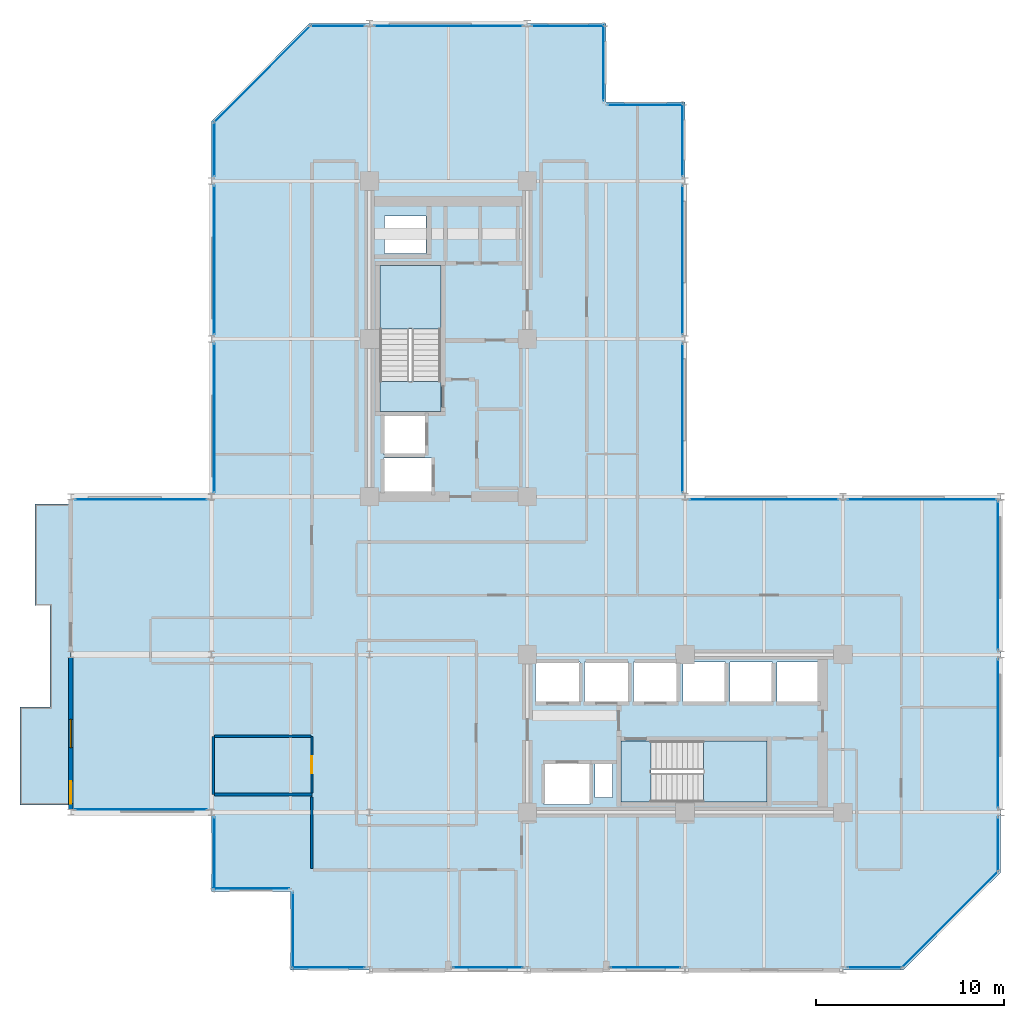
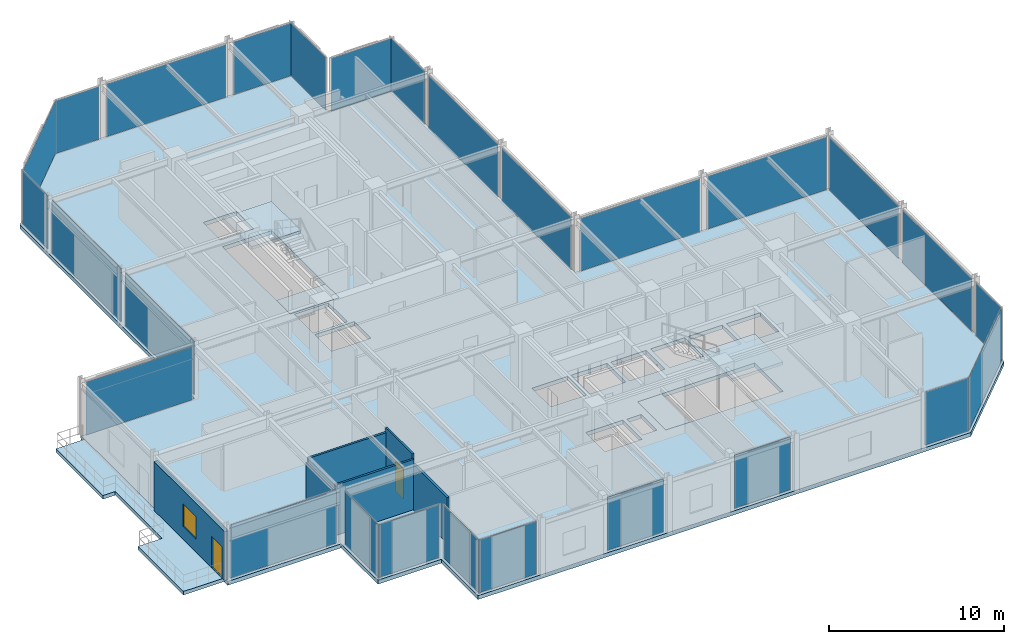
# One storey, part 23 of 29: 27 plates, 6 slabs, 6 walls, 2 doors, 1 window, 3 openings, 29 elements without a shape of their own.
"""IFC4 building model written with IfcOpenShell, lengths in metres."""

import ifcopenshell
import ifcopenshell.guid

model = None  # the IFC model being written
_history = None  # IfcOwnerHistory: only IFC2X3 demands one
_inside = {}  # id of a spatial element -> (the spatial element, [elements in it])
_under = {}  # id of a project, library or spatial element -> (it, [spatial elements below it])
_declared = {}  # id of a project -> (the project, [libraries it declares])
_typed = {}  # id of a type object -> (the type object, [elements of that type])
_made_of = {}  # id of a material, layer set ... -> (it, [elements and type objects made of it])


def new_model(schema):
    """Start an empty IFC model of exactly this schema.

    Asked for "IFC4X3", IfcOpenShell would pick the latest addendum, in which some entities
    have other attributes; the version numbers below select the first issue.
    IFC2X3 requires an IfcOwnerHistory on every rooted entity: one is made here for all.
    """
    global model, _history
    if schema == "IFC4X3":
        model = ifcopenshell.file(schema_version=(4, 3, 0, 0))
    else:
        model = ifcopenshell.file(schema=schema)
    _inside.clear()
    _under.clear()
    _declared.clear()
    _typed.clear()
    _made_of.clear()
    _history = None
    if model.schema == "IFC2X3":
        org = make("IfcOrganization", Name="unknown")
        user = make(
            "IfcPersonAndOrganization",
            ThePerson=make("IfcPerson", FamilyName="unknown"),
            TheOrganization=org,
        )
        app = make(
            "IfcApplication",
            ApplicationDeveloper=org,
            Version="unknown",
            ApplicationFullName="unknown",
            ApplicationIdentifier="unknown",
        )
        _history = make(
            "IfcOwnerHistory",
            OwningUser=user,
            OwningApplication=app,
            ChangeAction="ADDED",
            CreationDate=0,
        )
    return model


def make(cls, **values):
    """One entity of the class cls with the attributes given. An attribute that is None is left unset."""
    return model.create_entity(
        cls, **{name: value for name, value in values.items() if value is not None}
    )


def rooted(cls, **values):
    """An entity with a GlobalId (a new one), such as an element, a storey or a relation."""
    return make(cls, GlobalId=ifcopenshell.guid.new(), OwnerHistory=_history, **values)


def si_unit(unit_type, name, prefix=None):
    """IfcSIUnit, for example si_unit("LENGTHUNIT", "METRE", prefix="MILLI")."""
    return make("IfcSIUnit", UnitType=unit_type, Prefix=prefix, Name=name)


def assignment(units):
    """IfcUnitAssignment: the units of a project."""
    return None if units is None else make("IfcUnitAssignment", Units=units)


def point(xyz):
    """IfcCartesianPoint."""
    return None if xyz is None else make("IfcCartesianPoint", Coordinates=xyz)


def direction(xyz):
    """IfcDirection."""
    return None if xyz is None else make("IfcDirection", DirectionRatios=xyz)


def frame(location, z_axis=None, x_axis=None):
    """IfcAxis2Placement3D, a coordinate frame: its origin and axes. An axis left out is left unset."""
    return make(
        "IfcAxis2Placement3D",
        Location=point(location),
        Axis=direction(z_axis),
        RefDirection=direction(x_axis),
    )


def frame_2d(location, x_axis=None):
    """IfcAxis2Placement2D, a coordinate frame in the plane: its origin and x axis."""
    return make(
        "IfcAxis2Placement2D", Location=point(location), RefDirection=direction(x_axis)
    )


def origin():
    """The frame at (0, 0, 0) with its axes left unset."""
    return frame((0.0, 0.0, 0.0))


def origin_2d():
    """The frame at (0, 0) in the plane with its x axis left unset."""
    return frame_2d((0.0, 0.0))


def place(relative_to, where):
    """IfcLocalPlacement: puts the frame where relative to a parent placement (None: the world)."""
    return make(
        "IfcLocalPlacement", PlacementRelTo=relative_to, RelativePlacement=where
    )


def context(
    kind, dimensions, precision=None, world=None, true_north=None, identifier=None
):
    """IfcGeometricRepresentationContext, for example the 3D "Model" context."""
    return make(
        "IfcGeometricRepresentationContext",
        ContextIdentifier=identifier,
        ContextType=kind,
        CoordinateSpaceDimension=dimensions,
        Precision=precision,
        WorldCoordinateSystem=world,
        TrueNorth=true_north,
    )


def subcontext(parent, identifier, kind, view, scale=None):
    """IfcGeometricRepresentationSubContext, for example "Body" below "Model"."""
    return make(
        "IfcGeometricRepresentationSubContext",
        ContextIdentifier=identifier,
        ContextType=kind,
        ParentContext=parent,
        TargetScale=scale,
        TargetView=view,
    )


def project(units=None, contexts=None):
    """IfcProject with its units and contexts."""
    return rooted(
        "IfcProject",
        Name="project",
        RepresentationContexts=contexts,
        UnitsInContext=assignment(units),
    )


def spatial(cls, under=None, at=None, **own):
    """A site, building, storey or space (cls), placed at a placement, below another one or the project."""
    s = rooted(cls, ObjectPlacement=at, **own)
    if under is not None:
        _under.setdefault(under.id(), (under, []))[1].append(s)
    return s


def polyline(points):
    """IfcPolyline through the points."""
    return make("IfcPolyline", Points=[point(p) for p in points])


def profile(cls, at=None, kind="AREA", **sizes):
    """A parametric profile (cls). Its sizes go by their IFC names, for example OverallWidth=200.0."""
    return make(cls, ProfileType=kind, Position=at, **sizes)


def rectangle(**sizes):
    """IfcRectangleProfileDef."""
    return profile("IfcRectangleProfileDef", **sizes)


def outline(outer, holes=None, kind="AREA"):
    """IfcArbitraryClosedProfileDef: a profile drawn as a closed curve; with holes, ...WithVoids."""
    if holes is None:
        return make("IfcArbitraryClosedProfileDef", ProfileType=kind, OuterCurve=outer)
    return make(
        "IfcArbitraryProfileDefWithVoids",
        ProfileType=kind,
        OuterCurve=outer,
        InnerCurves=holes,
    )


def extrude(swept, where, along, depth):
    """IfcExtrudedAreaSolid: the profile swept, set in the frame where, extruded along a direction by depth."""
    return make(
        "IfcExtrudedAreaSolid",
        SweptArea=swept,
        Position=where,
        ExtrudedDirection=direction(along),
        Depth=depth,
    )


def shape(context_of_items, identifier, shape_type, items):
    """IfcShapeRepresentation: the items that make up one representation, for example the "Body"."""
    return make(
        "IfcShapeRepresentation",
        ContextOfItems=context_of_items,
        RepresentationIdentifier=identifier,
        RepresentationType=shape_type,
        Items=items,
    )


def material(Name=None, Category=None):
    """IfcMaterial."""
    return make("IfcMaterial", Name=Name, Category=Category)


def layer(
    of_material, thickness, ventilated=None, Name=None, Category=None, Priority=None
):
    """IfcMaterialLayer: one layer of a wall or slab, of a material (None: an air gap)."""
    return make(
        "IfcMaterialLayer",
        Material=of_material,
        LayerThickness=thickness,
        IsVentilated=ventilated,
        Name=Name,
        Category=Category,
        Priority=Priority,
    )


def layer_set(layers, Name=None):
    """IfcMaterialLayerSet."""
    return make("IfcMaterialLayerSet", MaterialLayers=layers, LayerSetName=Name)


def made_of(thing, what):
    """Note that an element or type object is made of a material, layer set ...; save() writes the relation."""
    if what is not None:
        _made_of.setdefault(what.id(), (what, []))[1].append(thing)
    return thing


def type_object(cls, material=None, **own):
    """A type object (cls), such as IfcWallType, which elements share."""
    return made_of(rooted(cls, **own), material)


def element(
    cls,
    number,
    at=None,
    inside=None,
    cuts=None,
    type_object=None,
    material=None,
    context=None,
    identifier="Body",
    shape_type=None,
    held_by="IfcProductDefinitionShape",
    body=None,
    shapes=None,
    **own,
):
    """One element of the class cls, such as IfcWall. Its Tag is "e" and its number.

    at: its placement. inside: the storey or other place that contains it. cuts: it is an
    opening in that element (IfcRelVoidsElement). A single representation is given by context,
    identifier, shape_type and body (its items); several are given by shapes. held_by: the class
    of the entity that holds the representations. save() writes the other relations.
    """
    e = rooted(cls, Tag="e%d" % number, ObjectPlacement=at, **own)
    if body is not None:
        shapes = [shape(context, identifier, shape_type, body)]
    if shapes is not None:
        e.Representation = make(held_by, Representations=shapes)
    if inside is not None:
        _inside.setdefault(inside.id(), (inside, []))[1].append(e)
    if cuts is not None:
        rooted(
            "IfcRelVoidsElement", RelatingBuildingElement=cuts, RelatedOpeningElement=e
        )
    if type_object is not None:
        _typed.setdefault(type_object.id(), (type_object, []))[1].append(e)
    return made_of(e, material)


def fill(opening, filler):
    """IfcRelFillsElement: the door or window that sits in an opening."""
    return rooted(
        "IfcRelFillsElement",
        RelatingOpeningElement=opening,
        RelatedBuildingElement=filler,
    )


def aggregate(whole, parts):
    """IfcRelAggregates: a whole, such as a stair, and the parts it consists of."""
    return rooted("IfcRelAggregates", RelatingObject=whole, RelatedObjects=parts)


def save(model, path):
    """Write the relations noted so far, then the file.

    IfcRelAggregates (storeys below a building ...), IfcRelContainedInSpatialStructure (elements
    in a storey), IfcRelDefinesByType, IfcRelAssociatesMaterial and IfcRelDeclares: one each for
    every whole, place, type object, material and project.
    """
    for whole, parts in _under.values():
        aggregate(whole, parts)
    for where, things in _inside.values():
        rooted(
            "IfcRelContainedInSpatialStructure",
            RelatedElements=things,
            RelatingStructure=where,
        )
    for kind, things in _typed.values():
        rooted("IfcRelDefinesByType", RelatedObjects=things, RelatingType=kind)
    for what, things in _made_of.values():
        rooted("IfcRelAssociatesMaterial", RelatedObjects=things, RelatingMaterial=what)
    for by, libraries in _declared.values():
        rooted("IfcRelDeclares", RelatingContext=by, RelatedDefinitions=libraries)
    model.write(path)


model = new_model("IFC4")

# Units and contexts
model_context = context("Model", 3, precision=1e-05, world=origin(), true_north=direction((0.0, 1.0)))
body_context = subcontext(model_context, "Body", "Model", "MODEL_VIEW")
ifc_project = project(units=[si_unit("LENGTHUNIT", "METRE"), si_unit("AREAUNIT", "SQUARE_METRE"), si_unit("VOLUMEUNIT", "CUBIC_METRE"), si_unit("PLANEANGLEUNIT", "RADIAN"), si_unit("MASSUNIT", "GRAM", prefix="KILO")], contexts=[model_context])

# Site, building, storey
site_placement = place(None, origin())
site = spatial("IfcSite", under=ifc_project, at=site_placement, CompositionType="ELEMENT")
building_placement = place(site_placement, origin())
building = spatial("IfcBuilding", under=site, at=building_placement, Name="Nerrivon Quay Data Exchange", CompositionType="ELEMENT")
storey_placement = place(building_placement, frame((0.0, 0.0, 212.39990234375)))
storey = spatial("IfcBuildingStorey", under=building, at=storey_placement, Name="L50", CompositionType="ELEMENT", Elevation=212.39990234375)

# Curtain wall, plate
ifc_material_1 = material(Name="Anodised aluminium 6063-T6", Category="aluminium")
ifc_layer_1 = layer(ifc_material_1, 0.199951171875)
ifc_layer_set_1 = layer_set([ifc_layer_1], Name="Anodised aluminium 6063-T6")
curtain_wall_type_1 = type_object("IfcCurtainWallType", Name="CW-SYS-04", PredefinedType="NOTDEFINED", material=ifc_layer_set_1)
curtain_wall_1_placement = place(storey_placement, origin())
curtain_wall_1 = element("IfcCurtainWall", 1, at=curtain_wall_1_placement, inside=storey, type_object=curtain_wall_type_1, Name="L50 Unitised Curtain Wall 3", PredefinedType="NOTDEFINED")
ifc_material_2 = material(Name="Double-glazed low-E solar control glass", Category="glass")
ifc_layer_2 = layer(ifc_material_2, 0.028076171875)
ifc_layer_set_2 = layer_set([ifc_layer_2], Name="Double-glazed low-E solar control glass")
plate_type = type_object("IfcPlateType", Name="CWP-GLZ-28", PredefinedType="CURTAIN_PANEL", material=ifc_layer_set_2)
plate_1_placement = place(storey_placement, frame((-3.759765625, 25.06005859375, 0.06494140625), z_axis=(0.0, 0.0, 1.0), x_axis=(1.0, 0.0, 0.0)))
plate_1 = element("IfcPlate", 2, at=plate_1_placement, type_object=plate_type, Name="CW04 panel 1.1", PredefinedType="CURTAIN_PANEL", context=body_context, shape_type="SweptSolid", body=[
    extrude(rectangle(XDim=7.01953125, YDim=0.028076171875, at=origin_2d()), origin(), (0.0, 0.0, 1.0), 3.695068359375),
])
aggregate(curtain_wall_1, [plate_1])

ifc_layer_3 = layer(ifc_material_1, 0.195068359375)
ifc_layer_set_3 = layer_set([ifc_layer_3], Name="Anodised aluminium 6063-T6")
curtain_wall_type_2 = type_object("IfcCurtainWallType", Name="CW-SYS-06", PredefinedType="NOTDEFINED", material=ifc_layer_set_3)
curtain_wall_2_placement = place(storey_placement, origin())
curtain_wall_2 = element("IfcCurtainWall", 3, at=curtain_wall_2_placement, inside=storey, type_object=curtain_wall_type_2, Name="L50 Unitised Curtain Wall 4", PredefinedType="NOTDEFINED")
plate_2_placement = place(storey_placement, frame((0.139892578125, 29.39990234375, 0.06494140625), z_axis=(0.0, 0.0, 1.0), x_axis=(0.0, 1.0, 0.0)))
plate_2 = element("IfcPlate", 4, at=plate_2_placement, type_object=plate_type, Name="CW06 panel 1.1", PredefinedType="CURTAIN_PANEL", context=body_context, shape_type="SweptSolid", body=[
    extrude(rectangle(XDim=7.89990234375, YDim=0.028076171875, at=origin_2d()), origin(), (0.0, 0.0, 1.0), 3.695068359375),
])
aggregate(curtain_wall_2, [plate_2])

curtain_wall_3_placement = place(storey_placement, origin())
curtain_wall_3 = element("IfcCurtainWall", 5, at=curtain_wall_3_placement, inside=storey, type_object=curtain_wall_type_2, Name="L50 Unitised Curtain Wall 5", PredefinedType="NOTDEFINED")
plate_3_placement = place(storey_placement, frame((0.139892578125, 37.800048828125, 0.06494140625), z_axis=(0.0, 0.0, 1.0), x_axis=(0.0, 1.0, 0.0)))
plate_3 = element("IfcPlate", 6, at=plate_3_placement, type_object=plate_type, Name="CW06 panel 1.1", PredefinedType="CURTAIN_PANEL", context=body_context, shape_type="SweptSolid", body=[
    extrude(rectangle(XDim=7.89990234375, YDim=0.028076171875, at=origin_2d()), origin(), (0.0, 0.0, 1.0), 3.695068359375),
])
aggregate(curtain_wall_3, [plate_3])

curtain_wall_4_placement = place(storey_placement, origin())
curtain_wall_4 = element("IfcCurtainWall", 7, at=curtain_wall_4_placement, inside=storey, type_object=curtain_wall_type_2, Name="L50 Unitised Curtain Wall 6", PredefinedType="NOTDEFINED")
plate_4_placement = place(storey_placement, frame((0.139892578125, 43.6875, 0.06494140625), z_axis=(0.0, 0.0, 1.0), x_axis=(0.0, 1.0, 0.0)))
plate_4 = element("IfcPlate", 8, at=plate_4_placement, type_object=plate_type, Name="CW06 panel 1.1", PredefinedType="CURTAIN_PANEL", context=body_context, shape_type="SweptSolid", body=[
    extrude(rectangle(XDim=2.875, YDim=0.028076171875, at=origin_2d()), origin(), (0.0, 0.0, 1.0), 3.695068359375),
])
aggregate(curtain_wall_4, [plate_4])

curtain_wall_5_placement = place(storey_placement, origin())
curtain_wall_5 = element("IfcCurtainWall", 9, at=curtain_wall_5_placement, inside=storey, type_object=curtain_wall_type_2, Name="L50 Unitised Curtain Wall 7", PredefinedType="NOTDEFINED")
plate_5_placement = place(storey_placement, frame((2.698974609375, 47.700927734375, 0.06494140625), z_axis=(0.0, 0.0, 1.0), x_axis=(0.707106781187, 0.707106781187, 0.0)))
plate_5 = element("IfcPlate", 10, at=plate_5_placement, type_object=plate_type, Name="CW06 panel 1.1", PredefinedType="CURTAIN_PANEL", context=body_context, shape_type="SweptSolid", body=[
    extrude(rectangle(XDim=7.203857421875, YDim=0.028076171875, at=origin_2d()), origin(), (0.0, 0.0, 1.0), 3.695068359375),
])
aggregate(curtain_wall_5, [plate_5])

curtain_wall_6_placement = place(storey_placement, origin())
curtain_wall_6 = element("IfcCurtainWall", 11, at=curtain_wall_6_placement, inside=storey, type_object=curtain_wall_type_2, Name="L50 Unitised Curtain Wall 8", PredefinedType="NOTDEFINED")
plate_6_placement = place(storey_placement, frame((6.71240234375, 50.260009765625, 0.06494140625), z_axis=(0.0, 0.0, 1.0), x_axis=(1.0, 0.0, 0.0)))
plate_6 = element("IfcPlate", 12, at=plate_6_placement, type_object=plate_type, Name="CW06 panel 1.1", PredefinedType="CURTAIN_PANEL", context=body_context, shape_type="SweptSolid", body=[
    extrude(rectangle(XDim=2.875, YDim=0.028076171875, at=origin_2d()), origin(), (0.0, 0.0, 1.0), 3.695068359375),
])
aggregate(curtain_wall_6, [plate_6])

curtain_wall_7_placement = place(storey_placement, origin())
curtain_wall_7 = element("IfcCurtainWall", 13, at=curtain_wall_7_placement, inside=storey, type_object=curtain_wall_type_2, Name="L50 Unitised Curtain Wall 9", PredefinedType="NOTDEFINED")
plate_7_placement = place(storey_placement, frame((12.60009765625, 50.260009765625, 0.06494140625), z_axis=(0.0, 0.0, 1.0), x_axis=(1.0, 0.0, 0.0)))
plate_7 = element("IfcPlate", 14, at=plate_7_placement, type_object=plate_type, Name="CW06 panel 1.1", PredefinedType="CURTAIN_PANEL", context=body_context, shape_type="SweptSolid", body=[
    extrude(rectangle(XDim=7.89990234375, YDim=0.028076171875, at=origin_2d()), origin(), (0.0, 0.0, 1.0), 3.695068359375),
])
aggregate(curtain_wall_7, [plate_7])

curtain_wall_8_placement = place(storey_placement, origin())
curtain_wall_8 = element("IfcCurtainWall", 15, at=curtain_wall_8_placement, inside=storey, type_object=curtain_wall_type_2, Name="L50 Unitised Curtain Wall 10", PredefinedType="NOTDEFINED")
plate_8_placement = place(storey_placement, frame((18.987548828125, 50.260009765625, 0.06494140625), z_axis=(0.0, 0.0, 1.0), x_axis=(1.0, 0.0, 0.0)))
plate_8 = element("IfcPlate", 16, at=plate_8_placement, type_object=plate_type, Name="CW06 panel 1.1", PredefinedType="CURTAIN_PANEL", context=body_context, shape_type="SweptSolid", body=[
    extrude(rectangle(XDim=3.875, YDim=0.028076171875, at=origin_2d()), origin(), (0.0, 0.0, 1.0), 3.695068359375),
])
aggregate(curtain_wall_8, [plate_8])

curtain_wall_9_placement = place(storey_placement, origin())
curtain_wall_9 = element("IfcCurtainWall", 17, at=curtain_wall_9_placement, inside=storey, type_object=curtain_wall_type_2, Name="L50 Unitised Curtain Wall 11", PredefinedType="NOTDEFINED")
plate_9_placement = place(storey_placement, frame((20.860107421875, 48.300048828125, 0.06494140625), z_axis=(0.0, 0.0, 1.0), x_axis=(0.0, -1.0, 0.0)))
plate_9 = element("IfcPlate", 18, at=plate_9_placement, type_object=plate_type, Name="CW06 panel 1.1", PredefinedType="CURTAIN_PANEL", context=body_context, shape_type="SweptSolid", body=[
    extrude(rectangle(XDim=4.050048828125, YDim=0.028076171875, at=origin_2d()), origin(), (0.0, 0.0, 1.0), 3.695068359375),
])
aggregate(curtain_wall_9, [plate_9])

curtain_wall_10_placement = place(storey_placement, origin())
curtain_wall_10 = element("IfcCurtainWall", 19, at=curtain_wall_10_placement, inside=storey, type_object=curtain_wall_type_2, Name="L50 Unitised Curtain Wall 12", PredefinedType="NOTDEFINED")
plate_10_placement = place(storey_placement, frame((23.10009765625, 46.06005859375, 0.06494140625), z_axis=(0.0, 0.0, 1.0), x_axis=(1.0, 0.0, 0.0)))
plate_10 = element("IfcPlate", 20, at=plate_10_placement, type_object=plate_type, Name="CW06 panel 1.1", PredefinedType="CURTAIN_PANEL", context=body_context, shape_type="SweptSolid", body=[
    extrude(rectangle(XDim=4.050048828125, YDim=0.028076171875, at=origin_2d()), origin(), (0.0, 0.0, 1.0), 3.695068359375),
])
aggregate(curtain_wall_10, [plate_10])

curtain_wall_11_placement = place(storey_placement, origin())
curtain_wall_11 = element("IfcCurtainWall", 21, at=curtain_wall_11_placement, inside=storey, type_object=curtain_wall_type_2, Name="L50 Unitised Curtain Wall 13", PredefinedType="NOTDEFINED")
plate_11_placement = place(storey_placement, frame((25.06005859375, 44.1875, 0.06494140625), z_axis=(0.0, 0.0, 1.0), x_axis=(0.0, -1.0, 0.0)))
plate_11 = element("IfcPlate", 22, at=plate_11_placement, type_object=plate_type, Name="CW06 panel 1.1", PredefinedType="CURTAIN_PANEL", context=body_context, shape_type="SweptSolid", body=[
    extrude(rectangle(XDim=3.875, YDim=0.028076171875, at=origin_2d()), origin(), (0.0, 0.0, 1.0), 3.695068359375),
])
aggregate(curtain_wall_11, [plate_11])

curtain_wall_12_placement = place(storey_placement, origin())
curtain_wall_12 = element("IfcCurtainWall", 23, at=curtain_wall_12_placement, inside=storey, type_object=curtain_wall_type_2, Name="L50 Unitised Curtain Wall 14", PredefinedType="NOTDEFINED")
plate_12_placement = place(storey_placement, frame((25.06005859375, 37.800048828125, 0.06494140625), z_axis=(0.0, 0.0, 1.0), x_axis=(0.0, -1.0, 0.0)))
plate_12 = element("IfcPlate", 24, at=plate_12_placement, type_object=plate_type, Name="CW06 panel 1.1", PredefinedType="CURTAIN_PANEL", context=body_context, shape_type="SweptSolid", body=[
    extrude(rectangle(XDim=7.89990234375, YDim=0.028076171875, at=origin_2d()), origin(), (0.0, 0.0, 1.0), 3.695068359375),
])
aggregate(curtain_wall_12, [plate_12])

curtain_wall_13_placement = place(storey_placement, origin())
curtain_wall_13 = element("IfcCurtainWall", 25, at=curtain_wall_13_placement, inside=storey, type_object=curtain_wall_type_2, Name="L50 Unitised Curtain Wall 15", PredefinedType="NOTDEFINED")
plate_13_placement = place(storey_placement, frame((25.06005859375, 29.39990234375, 0.06494140625), z_axis=(0.0, 0.0, 1.0), x_axis=(0.0, -1.0, 0.0)))
plate_13 = element("IfcPlate", 26, at=plate_13_placement, type_object=plate_type, Name="CW06 panel 1.1", PredefinedType="CURTAIN_PANEL", context=body_context, shape_type="SweptSolid", body=[
    extrude(rectangle(XDim=7.89990234375, YDim=0.028076171875, at=origin_2d()), origin(), (0.0, 0.0, 1.0), 3.695068359375),
])
aggregate(curtain_wall_13, [plate_13])

curtain_wall_14_placement = place(storey_placement, origin())
curtain_wall_14 = element("IfcCurtainWall", 27, at=curtain_wall_14_placement, inside=storey, type_object=curtain_wall_type_2, Name="L50 Unitised Curtain Wall 16", PredefinedType="NOTDEFINED")
plate_14_placement = place(storey_placement, frame((29.39990234375, 25.06005859375, 0.06494140625), z_axis=(0.0, 0.0, 1.0), x_axis=(1.0, 0.0, 0.0)))
plate_14 = element("IfcPlate", 28, at=plate_14_placement, type_object=plate_type, Name="CW06 panel 1.1", PredefinedType="CURTAIN_PANEL", context=body_context, shape_type="SweptSolid", body=[
    extrude(rectangle(XDim=7.89990234375, YDim=0.028076171875, at=origin_2d()), origin(), (0.0, 0.0, 1.0), 3.695068359375),
])
aggregate(curtain_wall_14, [plate_14])

curtain_wall_15_placement = place(storey_placement, origin())
curtain_wall_15 = element("IfcCurtainWall", 29, at=curtain_wall_15_placement, inside=storey, type_object=curtain_wall_type_2, Name="L50 Unitised Curtain Wall 17", PredefinedType="NOTDEFINED")
plate_15_placement = place(storey_placement, frame((37.800048828125, 25.06005859375, 0.06494140625), z_axis=(0.0, 0.0, 1.0), x_axis=(1.0, 0.0, 0.0)))
plate_15 = element("IfcPlate", 30, at=plate_15_placement, type_object=plate_type, Name="CW06 panel 1.1", PredefinedType="CURTAIN_PANEL", context=body_context, shape_type="SweptSolid", body=[
    extrude(rectangle(XDim=7.89990234375, YDim=0.028076171875, at=origin_2d()), origin(), (0.0, 0.0, 1.0), 3.695068359375),
])
aggregate(curtain_wall_15, [plate_15])

curtain_wall_16_placement = place(storey_placement, origin())
curtain_wall_16 = element("IfcCurtainWall", 31, at=curtain_wall_16_placement, inside=storey, type_object=curtain_wall_type_2, Name="L50 Unitised Curtain Wall 18", PredefinedType="NOTDEFINED")
plate_16_placement = place(storey_placement, frame((41.860107421875, 21.0, 0.06494140625), z_axis=(0.0, 0.0, 1.0), x_axis=(0.0, -1.0, 0.0)))
plate_16 = element("IfcPlate", 32, at=plate_16_placement, type_object=plate_type, Name="CW06 panel 1.1", PredefinedType="CURTAIN_PANEL", context=body_context, shape_type="SweptSolid", body=[
    extrude(rectangle(XDim=7.89990234375, YDim=0.028076171875, at=origin_2d()), origin(), (0.0, 0.0, 1.0), 3.695068359375),
])
aggregate(curtain_wall_16, [plate_16])

curtain_wall_17_placement = place(storey_placement, origin())
curtain_wall_17 = element("IfcCurtainWall", 33, at=curtain_wall_17_placement, inside=storey, type_object=curtain_wall_type_2, Name="L50 Unitised Curtain Wall 19", PredefinedType="NOTDEFINED")
plate_17_placement = place(storey_placement, frame((41.860107421875, 12.60009765625, 0.06494140625), z_axis=(0.0, 0.0, 1.0), x_axis=(0.0, -1.0, 0.0)))
plate_17 = element("IfcPlate", 34, at=plate_17_placement, type_object=plate_type, Name="CW06 panel 1.1", PredefinedType="CURTAIN_PANEL", context=body_context, shape_type="SweptSolid", body=[
    extrude(rectangle(XDim=7.89990234375, YDim=0.028076171875, at=origin_2d()), origin(), (0.0, 0.0, 1.0), 3.695068359375),
])
aggregate(curtain_wall_17, [plate_17])

curtain_wall_18_placement = place(storey_placement, origin())
curtain_wall_18 = element("IfcCurtainWall", 35, at=curtain_wall_18_placement, inside=storey, type_object=curtain_wall_type_2, Name="L50 Unitised Curtain Wall 20", PredefinedType="NOTDEFINED")
plate_18_placement = place(storey_placement, frame((41.860107421875, 6.71240234375, 0.06494140625), z_axis=(0.0, 0.0, 1.0), x_axis=(0.0, -1.0, 0.0)))
plate_18 = element("IfcPlate", 36, at=plate_18_placement, type_object=plate_type, Name="CW06 panel 1.1", PredefinedType="CURTAIN_PANEL", context=body_context, shape_type="SweptSolid", body=[
    extrude(rectangle(XDim=2.875, YDim=0.028076171875, at=origin_2d()), origin(), (0.0, 0.0, 1.0), 3.695068359375),
])
aggregate(curtain_wall_18, [plate_18])

curtain_wall_19_placement = place(storey_placement, origin())
curtain_wall_19 = element("IfcCurtainWall", 37, at=curtain_wall_19_placement, inside=storey, type_object=curtain_wall_type_2, Name="L50 Unitised Curtain Wall 21", PredefinedType="NOTDEFINED")
plate_19_placement = place(storey_placement, frame((39.301025390625, 2.698974609375, 0.06494140625), z_axis=(0.0, 0.0, 1.0), x_axis=(-0.707106781187, -0.707106781187, 0.0)))
plate_19 = element("IfcPlate", 38, at=plate_19_placement, type_object=plate_type, Name="CW06 panel 1.1", PredefinedType="CURTAIN_PANEL", context=body_context, shape_type="SweptSolid", body=[
    extrude(rectangle(XDim=7.203857421875, YDim=0.028076171875, at=origin_2d()), origin(), (0.0, 0.0, 1.0), 3.695068359375),
])
aggregate(curtain_wall_19, [plate_19])

curtain_wall_20_placement = place(storey_placement, origin())
curtain_wall_20 = element("IfcCurtainWall", 39, at=curtain_wall_20_placement, inside=storey, type_object=curtain_wall_type_2, Name="L50 Unitised Curtain Wall 22", PredefinedType="NOTDEFINED")
plate_20_placement = place(storey_placement, frame((35.28759765625, 0.139892578125, 0.06494140625), z_axis=(0.0, 0.0, 1.0), x_axis=(-1.0, 0.0, 0.0)))
plate_20 = element("IfcPlate", 40, at=plate_20_placement, type_object=plate_type, Name="CW06 panel 1.1", PredefinedType="CURTAIN_PANEL", context=body_context, shape_type="SweptSolid", body=[
    extrude(rectangle(XDim=2.875, YDim=0.028076171875, at=origin_2d()), origin(), (0.0, 0.0, 1.0), 3.695068359375),
])
aggregate(curtain_wall_20, [plate_20])

curtain_wall_21_placement = place(storey_placement, origin())
curtain_wall_21 = element("IfcCurtainWall", 41, at=curtain_wall_21_placement, inside=storey, type_object=curtain_wall_type_2, Name="L50 Unitised Curtain Wall 24", PredefinedType="NOTDEFINED")
plate_21_placement = place(storey_placement, frame((23.10009765625, 0.139892578125, 0.06494140625), z_axis=(0.0, 0.0, 1.0), x_axis=(-1.0, 0.0, 0.0)))
plate_21 = element("IfcPlate", 42, at=plate_21_placement, type_object=plate_type, Name="CW06 panel 1.1", PredefinedType="CURTAIN_PANEL", context=body_context, shape_type="SweptSolid", body=[
    extrude(rectangle(XDim=3.699951171875, YDim=0.028076171875, at=origin_2d()), origin(), (0.0, 0.0, 1.0), 3.695068359375),
])
aggregate(curtain_wall_21, [plate_21])

curtain_wall_22_placement = place(storey_placement, origin())
curtain_wall_22 = element("IfcCurtainWall", 43, at=curtain_wall_22_placement, inside=storey, type_object=curtain_wall_type_2, Name="L50 Unitised Curtain Wall 26", PredefinedType="NOTDEFINED")
plate_22_placement = place(storey_placement, frame((14.699951171875, 0.139892578125, 0.06494140625), z_axis=(0.0, 0.0, 1.0), x_axis=(-1.0, 0.0, 0.0)))
plate_22 = element("IfcPlate", 44, at=plate_22_placement, type_object=plate_type, Name="CW06 panel 1.1", PredefinedType="CURTAIN_PANEL", context=body_context, shape_type="SweptSolid", body=[
    extrude(rectangle(XDim=3.699951171875, YDim=0.028076171875, at=origin_2d()), origin(), (0.0, 0.0, 1.0), 3.695068359375),
])
aggregate(curtain_wall_22, [plate_22])

curtain_wall_23_placement = place(storey_placement, origin())
curtain_wall_23 = element("IfcCurtainWall", 45, at=curtain_wall_23_placement, inside=storey, type_object=curtain_wall_type_2, Name="L50 Unitised Curtain Wall 28", PredefinedType="NOTDEFINED")
plate_23_placement = place(storey_placement, frame((6.21240234375, 0.139892578125, 0.06494140625), z_axis=(0.0, 0.0, 1.0), x_axis=(-1.0, 0.0, 0.0)))
plate_23 = element("IfcPlate", 46, at=plate_23_placement, type_object=plate_type, Name="CW06 panel 1.1", PredefinedType="CURTAIN_PANEL", context=body_context, shape_type="SweptSolid", body=[
    extrude(rectangle(XDim=3.875, YDim=0.028076171875, at=origin_2d()), origin(), (0.0, 0.0, 1.0), 3.695068359375),
])
aggregate(curtain_wall_23, [plate_23])

curtain_wall_24_placement = place(storey_placement, origin())
curtain_wall_24 = element("IfcCurtainWall", 47, at=curtain_wall_24_placement, inside=storey, type_object=curtain_wall_type_2, Name="L50 Unitised Curtain Wall 29", PredefinedType="NOTDEFINED")
plate_24_placement = place(storey_placement, frame((4.340087890625, 2.10009765625, 0.06494140625), z_axis=(0.0, 0.0, 1.0), x_axis=(0.0, 1.0, 0.0)))
plate_24 = element("IfcPlate", 48, at=plate_24_placement, type_object=plate_type, Name="CW06 panel 1.1", PredefinedType="CURTAIN_PANEL", context=body_context, shape_type="SweptSolid", body=[
    extrude(rectangle(XDim=4.050048828125, YDim=0.028076171875, at=origin_2d()), origin(), (0.0, 0.0, 1.0), 3.695068359375),
])
aggregate(curtain_wall_24, [plate_24])

curtain_wall_25_placement = place(storey_placement, origin())
curtain_wall_25 = element("IfcCurtainWall", 49, at=curtain_wall_25_placement, inside=storey, type_object=curtain_wall_type_2, Name="L50 Unitised Curtain Wall 30", PredefinedType="NOTDEFINED")
plate_25_placement = place(storey_placement, frame((2.10009765625, 4.340087890625, 0.06494140625), z_axis=(0.0, 0.0, 1.0), x_axis=(-1.0, 0.0, 0.0)))
plate_25 = element("IfcPlate", 50, at=plate_25_placement, type_object=plate_type, Name="CW06 panel 1.1", PredefinedType="CURTAIN_PANEL", context=body_context, shape_type="SweptSolid", body=[
    extrude(rectangle(XDim=4.050048828125, YDim=0.028076171875, at=origin_2d()), origin(), (0.0, 0.0, 1.0), 3.695068359375),
])
aggregate(curtain_wall_25, [plate_25])

curtain_wall_26_placement = place(storey_placement, origin())
curtain_wall_26 = element("IfcCurtainWall", 51, at=curtain_wall_26_placement, inside=storey, type_object=curtain_wall_type_2, Name="L50 Unitised Curtain Wall 31", PredefinedType="NOTDEFINED")
plate_26_placement = place(storey_placement, frame((0.139892578125, 6.21240234375, 0.06494140625), z_axis=(0.0, 0.0, 1.0), x_axis=(0.0, 1.0, 0.0)))
plate_26 = element("IfcPlate", 52, at=plate_26_placement, type_object=plate_type, Name="CW06 panel 1.1", PredefinedType="CURTAIN_PANEL", context=body_context, shape_type="SweptSolid", body=[
    extrude(rectangle(XDim=3.875, YDim=0.028076171875, at=origin_2d()), origin(), (0.0, 0.0, 1.0), 3.695068359375),
])
aggregate(curtain_wall_26, [plate_26])

curtain_wall_27_placement = place(storey_placement, origin())
curtain_wall_27 = element("IfcCurtainWall", 53, at=curtain_wall_27_placement, inside=storey, type_object=curtain_wall_type_1, Name="L50 Unitised Curtain Wall 32", PredefinedType="NOTDEFINED")
plate_27_placement = place(storey_placement, frame((-3.759765625, 8.5400390625, 0.06494140625), z_axis=(0.0, 0.0, 1.0), x_axis=(-1.0, 0.0, 0.0)))
plate_27 = element("IfcPlate", 54, at=plate_27_placement, type_object=plate_type, Name="CW04 panel 1.1", PredefinedType="CURTAIN_PANEL", context=body_context, shape_type="SweptSolid", body=[
    extrude(rectangle(XDim=7.01953125, YDim=0.028076171875, at=origin_2d()), origin(), (0.0, 0.0, 1.0), 3.695068359375),
])
aggregate(curtain_wall_27, [plate_27])

# Slab
ifc_material_3 = material(Name="Precast white architectural concrete N50 (50 MPa)", Category="concrete")
ifc_layer_4 = layer(ifc_material_3, 0.25)
ifc_layer_set_4 = layer_set([ifc_layer_4], Name="Precast white architectural concrete N50 (50 MPa)")
slab_type_1 = type_object("IfcSlabType", Name="SLB-BAL-250", PredefinedType="FLOOR", material=ifc_layer_set_4)
slab_1_placement = place(storey_placement, frame((0.0, 0.0, -0.25)))
element("IfcSlab", 55, at=slab_1_placement, inside=storey, type_object=slab_type_1, Name="L50 West Hooked Drifting Verandah", PredefinedType="FLOOR", context=body_context, shape_type="SweptSolid", body=[
    extrude(outline(polyline([(-7.5, 14.0), (-7.5, 19.39990234375), (-7.5, 24.800048828125), (-9.39990234375, 24.800048828125), (-9.39990234375, 19.39990234375), (-8.60009765625, 19.39990234375), (-8.60009765625, 14.0), (-10.199951171875, 14.0), (-10.199951171875, 8.800048828125), (-7.5, 8.800048828125), (-7.5, 14.0)])), origin(), (0.0, 0.0, 1.0), 0.25),
])

# Stair, slab
ifc_material_4 = material(Name="Concrete N50 (50 MPa)", Category="concrete")
stair_type = type_object("IfcStairType", Name="STAIR-DOG-41", PredefinedType="HALF_TURN_STAIR", material=ifc_material_4)
stair_1_placement = place(storey_placement, origin())
stair_1 = element("IfcStair", 56, at=stair_1_placement, inside=storey, type_object=stair_type, Name="L50 West Core Fire Stair ST01", PredefinedType="HALF_TURN_STAIR")
ifc_layer_5 = layer(ifc_material_4, 0.199951171875)
ifc_layer_set_5 = layer_set([ifc_layer_5], Name="Concrete N50 (50 MPa)")
slab_type_2 = type_object("IfcSlabType", Name="SLB-LAND-200", PredefinedType="LANDING", material=ifc_layer_set_5)
slab_2_placement = place(storey_placement, frame((0.0, 0.0, 1.85009765625)))
slab_2 = element("IfcSlab", 57, at=slab_2_placement, type_object=slab_type_2, Name="ST01 landing 1", PredefinedType="LANDING", context=body_context, shape_type="SweptSolid", body=[
    extrude(outline(polyline([(12.199951171875, 34.1298828125), (12.199951171875, 37.5), (8.949951171875, 37.5), (8.949951171875, 34.1298828125), (12.199951171875, 34.1298828125)])), origin(), (0.0, 0.0, 1.0), 0.199951171875),
])
aggregate(stair_1, [slab_2])

# Slab
slab_3_placement = place(storey_placement, frame((0.0, 0.0, -0.199951171875)))
element("IfcSlab", 58, at=slab_3_placement, inside=storey, type_object=slab_type_2, Name="L50 ST01 floor landing", PredefinedType="LANDING", context=body_context, shape_type="SweptSolid", body=[
    extrude(outline(polyline([(12.199951171875, 29.75), (12.199951171875, 31.330078125), (8.949951171875, 31.330078125), (8.949951171875, 29.75), (12.199951171875, 29.75)])), origin(), (0.0, 0.0, 1.0), 0.199951171875),
])

# Stair, slab
stair_2_placement = place(storey_placement, origin())
stair_2 = element("IfcStair", 59, at=stair_2_placement, inside=storey, type_object=stair_type, Name="L50 East Core Fire Stair ST02", PredefinedType="HALF_TURN_STAIR")
slab_4_placement = place(storey_placement, frame((0.0, 0.0, 1.85009765625)))
slab_4 = element("IfcSlab", 60, at=slab_4_placement, type_object=slab_type_2, Name="ST02 landing 1", PredefinedType="LANDING", context=body_context, shape_type="SweptSolid", body=[
    extrude(outline(polyline([(26.179931640625, 8.949951171875), (29.550048828125, 8.949951171875), (29.550048828125, 12.199951171875), (26.179931640625, 12.199951171875), (26.179931640625, 8.949951171875)])), origin(), (0.0, 0.0, 1.0), 0.199951171875),
])
aggregate(stair_2, [slab_4])

# Slabs
slab_5_placement = place(storey_placement, frame((0.0, 0.0, -0.199951171875)))
element("IfcSlab", 61, at=slab_5_placement, inside=storey, type_object=slab_type_2, Name="L50 ST02 floor landing", PredefinedType="LANDING", context=body_context, shape_type="SweptSolid", body=[
    extrude(outline(polyline([(21.800048828125, 8.949951171875), (23.3798828125, 8.949951171875), (23.3798828125, 12.199951171875), (21.800048828125, 12.199951171875), (21.800048828125, 8.949951171875)])), origin(), (0.0, 0.0, 1.0), 0.199951171875),
])
ifc_layer_6 = layer(ifc_material_4, 0.27490234375)
ifc_layer_set_6 = layer_set([ifc_layer_6], Name="Concrete N50 (50 MPa)")
slab_type_3 = type_object("IfcSlabType", Name="SLB-TOW-275", PredefinedType="FLOOR", material=ifc_layer_set_6)
slab_6_placement = place(storey_placement, frame((0.0, 0.0, -0.27490234375)))
element("IfcSlab", 62, at=slab_6_placement, inside=storey, type_object=slab_type_3, Name="L50 Primary Structural Slab", PredefinedType="FLOOR", context=body_context, shape_type="SweptSolid", body=[
    extrude(outline(polyline([(0.0, 8.39990234375), (0.0, 4.199951171875), (4.199951171875, 4.199951171875), (4.199951171875, 0.0), (36.800048828125, 0.0), (42.0, 5.199951171875), (42.0, 25.199951171875), (25.199951171875, 25.199951171875), (25.199951171875, 46.199951171875), (21.0, 46.199951171875), (21.0, 50.39990234375), (5.199951171875, 50.39990234375), (0.0, 45.199951171875), (0.0, 25.199951171875), (-7.5, 25.199951171875), (-7.5, 8.39990234375), (0.0, 8.39990234375)]), holes=[polyline([(8.949951171875, 29.75), (8.949951171875, 37.5), (12.199951171875, 37.5), (12.199951171875, 29.75), (8.949951171875, 29.75)]), polyline([(21.800048828125, 12.199951171875), (29.550048828125, 12.199951171875), (29.550048828125, 8.949951171875), (21.800048828125, 8.949951171875), (21.800048828125, 12.199951171875)]), polyline([(30.10009765625, 16.39990234375), (32.35009765625, 16.39990234375), (32.35009765625, 14.25), (30.10009765625, 14.25), (30.10009765625, 16.39990234375)]), polyline([(27.60009765625, 16.39990234375), (29.85009765625, 16.39990234375), (29.85009765625, 14.25), (27.60009765625, 14.25), (27.60009765625, 16.39990234375)]), polyline([(25.10009765625, 14.25), (25.10009765625, 16.39990234375), (27.35009765625, 16.39990234375), (27.35009765625, 14.25), (25.10009765625, 14.25)]), polyline([(22.449951171875, 16.39990234375), (24.800048828125, 16.39990234375), (24.800048828125, 14.25), (22.449951171875, 14.25), (22.449951171875, 16.39990234375)]), polyline([(19.85009765625, 16.39990234375), (22.199951171875, 16.39990234375), (22.199951171875, 14.25), (19.85009765625, 14.25), (19.85009765625, 16.39990234375)]), polyline([(20.39990234375, 9.199951171875), (20.39990234375, 11.0), (21.35009765625, 11.0), (21.35009765625, 9.199951171875), (20.39990234375, 9.199951171875)]), polyline([(17.699951171875, 8.830078125), (17.699951171875, 11.030029296875), (20.14990234375, 11.030029296875), (20.14990234375, 8.830078125), (17.699951171875, 8.830078125)]), polyline([(17.25, 14.25), (17.25, 16.39990234375), (19.60009765625, 16.39990234375), (19.60009765625, 14.25), (17.25, 14.25)]), polyline([(9.14990234375, 27.25), (11.75, 27.25), (11.75, 25.35009765625), (9.14990234375, 25.35009765625), (9.14990234375, 27.25)]), polyline([(9.14990234375, 29.60009765625), (11.39990234375, 29.60009765625), (11.39990234375, 27.449951171875), (9.14990234375, 27.449951171875), (9.14990234375, 29.60009765625)]), polyline([(9.199951171875, 38.14990234375), (9.199951171875, 40.14990234375), (11.39990234375, 40.14990234375), (11.39990234375, 38.14990234375), (9.199951171875, 38.14990234375)])]), origin(), (0.0, 0.0, 1.0), 0.27490234375),
])

# Wall, openings, door, window
ifc_material_5 = material(Name="Architectural terracotta precast concrete N50 (50 MPa)", Category="masonry")
ifc_layer_7 = layer(ifc_material_5, 0.239990234375)
ifc_layer_set_7 = layer_set([ifc_layer_7], Name="Architectural terracotta precast concrete N50 (50 MPa)")
wall_type_1 = type_object("IfcWallType", Name="EW-PREC-240", PredefinedType="STANDARD", material=ifc_layer_set_7)
wall_1_placement = place(storey_placement, frame((-7.5, 8.5634765625, 0.0), z_axis=(0.0, 0.0, 1.0), x_axis=(0.0, 1.0, 0.0)))
wall_1 = element("IfcWall", 63, at=wall_1_placement, inside=storey, type_object=wall_type_1, Name="L50 Terrace Host Wall 1", PredefinedType="STANDARD", context=body_context, shape_type="SweptSolid", body=[
    extrude(rectangle(XDim=8.072998046875, YDim=0.239990234375, at=frame_2d((4.03662109375, 0.0))), origin(), (0.0, 0.0, 1.0), 3.422119140625),
])
opening_1_placement = place(wall_1_placement, frame((0.300048828125, 0.0, 0.0)))
opening_1 = element("IfcOpeningElement", 64, at=opening_1_placement, cuts=wall_1, Name="Opening TD1", PredefinedType="OPENING", context=body_context, shape_type="SweptSolid", body=[
    extrude(rectangle(XDim=1.199951171875, YDim=2.199951171875, at=frame_2d((0.60009765625, 1.10009765625))), frame((0.0, 0.1298828125, 0.0), z_axis=(0.0, -1.0, 0.0), x_axis=(1.0, 0.0, 0.0)), (0.0, 0.0, 1.0), 0.260009765625),
])
opening_2_placement = place(wall_1_placement, frame((3.28662109375, 0.0, 0.89990234375)))
opening_2 = element("IfcOpeningElement", 65, at=opening_2_placement, cuts=wall_1, Name="Opening WN4", PredefinedType="OPENING", context=body_context, shape_type="SweptSolid", body=[
    extrude(rectangle(XDim=1.5, YDim=1.60009765625, at=frame_2d((0.75, 0.800048828125))), frame((0.0, 0.1298828125, 0.0), z_axis=(0.0, -1.0, 0.0), x_axis=(1.0, 0.0, 0.0)), (0.0, 0.0, 1.0), 0.260009765625),
])
door_type_1 = type_object("IfcDoorType", Name="DR-TERR-1200x2200", OperationType="NOTDEFINED", PredefinedType="DOOR", material=ifc_material_2)
door_1_placement = place(opening_1_placement, origin())
door_1 = element("IfcDoor", 66, at=door_1_placement, inside=storey, type_object=door_type_1, Name="L50 Outdoor Terrace Access Door 1", OperationType="SINGLE_SWING_RIGHT", OverallHeight=2.199951171875, OverallWidth=1.199951171875, PredefinedType="DOOR", context=body_context, shape_type="SweptSolid", body=[
    extrude(rectangle(XDim=1.199951171875, YDim=2.199951171875, at=frame_2d((0.60009765625, 1.10009765625))), frame((0.0, 0.02490234375, 0.0), z_axis=(0.0, -1.0, 0.0), x_axis=(1.0, 0.0, 0.0)), (0.0, 0.0, 1.0), 0.050048828125),
])
fill(opening_1, door_1)
window_type = type_object("IfcWindowType", Name="WIN-W4-1500x1600", PartitioningType="SINGLE_PANEL", PredefinedType="WINDOW", material=ifc_material_2)
window_placement = place(opening_2_placement, origin())
window = element("IfcWindow", 67, at=window_placement, inside=storey, type_object=window_type, Name="L50 Terrace Side Window 1", OverallHeight=1.60009765625, OverallWidth=1.5, PartitioningType="SINGLE_PANEL", PredefinedType="WINDOW", context=body_context, shape_type="SweptSolid", body=[
    extrude(rectangle(XDim=1.5, YDim=1.60009765625, at=frame_2d((0.75, 0.800048828125))), frame((0.0, 0.030029296875, 0.0), z_axis=(0.0, -1.0, 0.0), x_axis=(1.0, 0.0, 0.0)), (0.0, 0.0, 1.0), 0.06005859375),
])
fill(opening_2, window)

# Wall
ifc_material_6 = material(Name="Gypsum plasterboard on cold-formed framing", Category="gypsum")
ifc_layer_8 = layer(ifc_material_6, 0.1201171875)
ifc_layer_set_8 = layer_set([ifc_layer_8], Name="Gypsum plasterboard on cold-formed framing")
wall_type_2 = type_object("IfcWallType", Name="WALL-PT-120", PredefinedType="PARTITIONING", material=ifc_layer_set_8)
wall_2_placement = place(storey_placement, frame((0.080078125, 12.449951171875, 0.0), z_axis=(0.0, 0.0, 1.0), x_axis=(0.0, -1.0, 0.0)))
element("IfcWall", 68, at=wall_2_placement, inside=storey, type_object=wall_type_2, Name="L50 Partition Public Washrooms", PredefinedType="PARTITIONING", context=body_context, shape_type="SweptSolid", body=[
    extrude(rectangle(XDim=3.099853515625, YDim=0.1201171875, at=frame_2d((1.5498046875, 0.0))), origin(), (0.0, 0.0, 1.0), 3.22314453125),
])

# Wall, opening, door
wall_3_placement = place(storey_placement, frame((5.340087890625, 9.42138671875, 0.0), z_axis=(0.0, 0.0, 1.0), x_axis=(0.0, 1.0, 0.0)))
wall_3 = element("IfcWall", 69, at=wall_3_placement, inside=storey, type_object=wall_type_2, Name="L50 Partition Public Washrooms", PredefinedType="PARTITIONING", context=body_context, shape_type="SweptSolid", body=[
    extrude(rectangle(XDim=3.028564453125, YDim=0.1201171875, at=frame_2d((1.51416015625, 0.0))), origin(), (0.0, 0.0, 1.0), 3.8251953125),
])
opening_3_placement = place(wall_3_placement, frame((1.05419921875, 0.0, 0.0)))
opening_3 = element("IfcOpeningElement", 70, at=opening_3_placement, cuts=wall_3, Name="Opening D-WC", PredefinedType="OPENING", context=body_context, shape_type="SweptSolid", body=[
    extrude(rectangle(XDim=0.919921875, YDim=2.10009765625, at=frame_2d((0.4599609375, 1.050048828125))), frame((0.0, 0.070068359375, 0.0), z_axis=(0.0, -1.0, 0.0), x_axis=(1.0, 0.0, 0.0)), (0.0, 0.0, 1.0), 0.14013671875),
])
ifc_material_7 = material(Name="Engineered hardwood timber", Category="wood")
door_type_2 = type_object("IfcDoorType", Name="DR-WC-920", OperationType="NOTDEFINED", PredefinedType="DOOR", material=ifc_material_7)
door_2_placement = place(opening_3_placement, origin())
door_2 = element("IfcDoor", 71, at=door_2_placement, inside=storey, type_object=door_type_2, Name="L50 Door Public Washrooms", OperationType="SINGLE_SWING_LEFT", OverallHeight=2.10009765625, OverallWidth=0.919921875, PredefinedType="DOOR", context=body_context, shape_type="SweptSolid", body=[
    extrude(rectangle(XDim=0.919921875, YDim=2.10009765625, at=frame_2d((0.4599609375, 1.050048828125))), frame((0.0, 0.02490234375, 0.0), z_axis=(0.0, -1.0, 0.0), x_axis=(1.0, 0.0, 0.0)), (0.0, 0.0, 1.0), 0.050048828125),
])
fill(opening_3, door_2)

# Walls
ifc_layer_9 = layer(ifc_material_6, 0.135009765625)
ifc_layer_set_9 = layer_set([ifc_layer_9], Name="Gypsum plasterboard on cold-formed framing")
wall_type_3 = type_object("IfcWallType", Name="WALL-PT-135", PredefinedType="PARTITIONING", material=ifc_layer_set_9)
wall_4_placement = place(storey_placement, frame((0.14404296875, 9.35009765625, 0.0), z_axis=(0.0, 0.0, 1.0), x_axis=(1.0, 0.0, 0.0)))
element("IfcWall", 72, at=wall_4_placement, inside=storey, type_object=wall_type_3, Name="L50 Partition Public Washrooms", PredefinedType="PARTITIONING", context=body_context, shape_type="SweptSolid", body=[
    extrude(rectangle(XDim=5.196044921875, YDim=0.135009765625, at=frame_2d((2.59814453125, 0.0))), origin(), (0.0, 0.0, 1.0), 3.51806640625),
])
wall_5_placement = place(storey_placement, frame((5.27587890625, 12.449951171875, 0.0), z_axis=(0.0, 0.0, 1.0), x_axis=(-1.0, 0.0, 0.0)))
element("IfcWall", 73, at=wall_5_placement, inside=storey, type_object=wall_type_3, Name="L50 Partition Public Washrooms", PredefinedType="PARTITIONING", context=body_context, shape_type="SweptSolid", body=[
    extrude(rectangle(XDim=5.1318359375, YDim=0.135009765625, at=frame_2d((2.56591796875, 0.0))), origin(), (0.0, 0.0, 1.0), 3.51806640625),
])
wall_6_placement = place(storey_placement, frame((5.340087890625, 5.39990234375, 0.0), z_axis=(0.0, 0.0, 1.0), x_axis=(0.0, 1.0, 0.0)))
element("IfcWall", 74, at=wall_6_placement, inside=storey, type_object=wall_type_3, Name="L50 Partition Technical Library", PredefinedType="PARTITIONING", context=body_context, shape_type="SweptSolid", body=[
    extrude(rectangle(XDim=3.830078125, YDim=0.135009765625, at=frame_2d((1.9150390625, 0.0))), origin(), (0.0, 0.0, 1.0), 3.213134765625),
])

save(model, "model.ifc")
